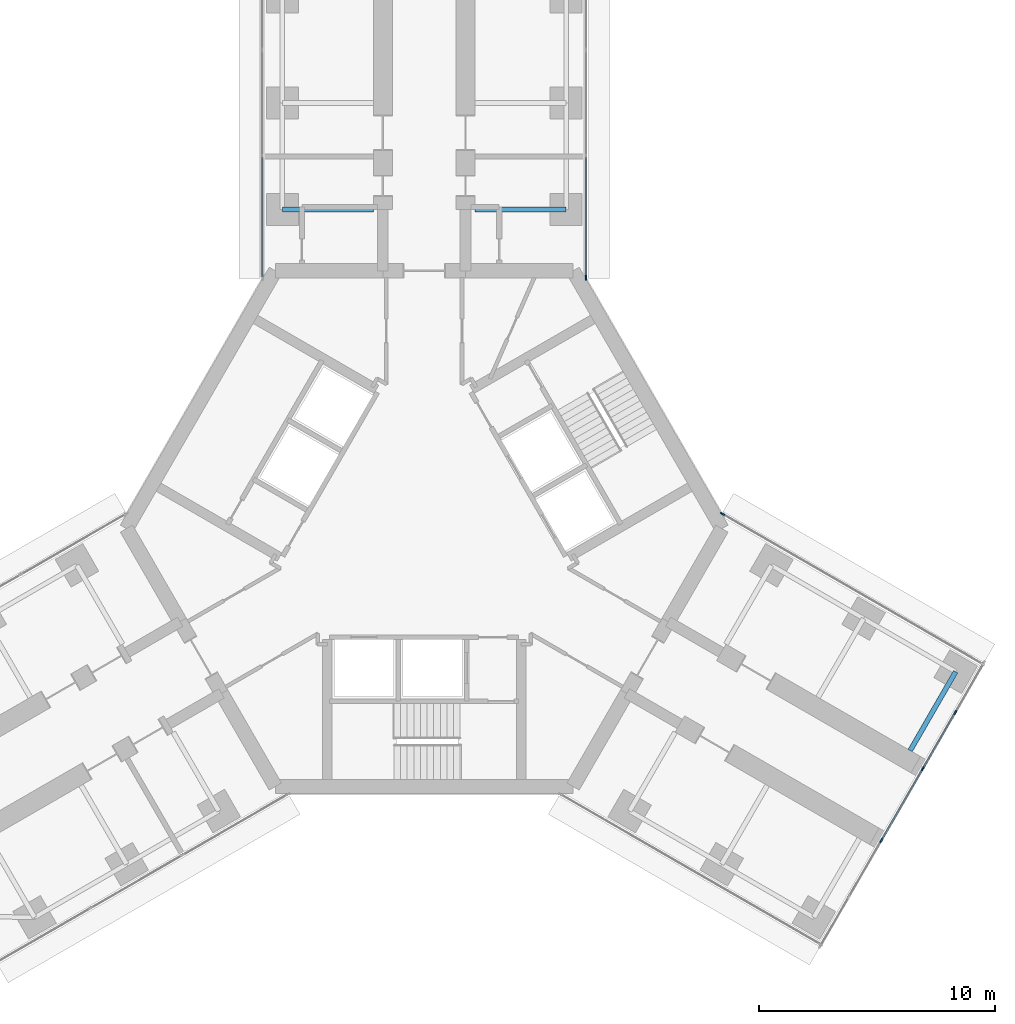
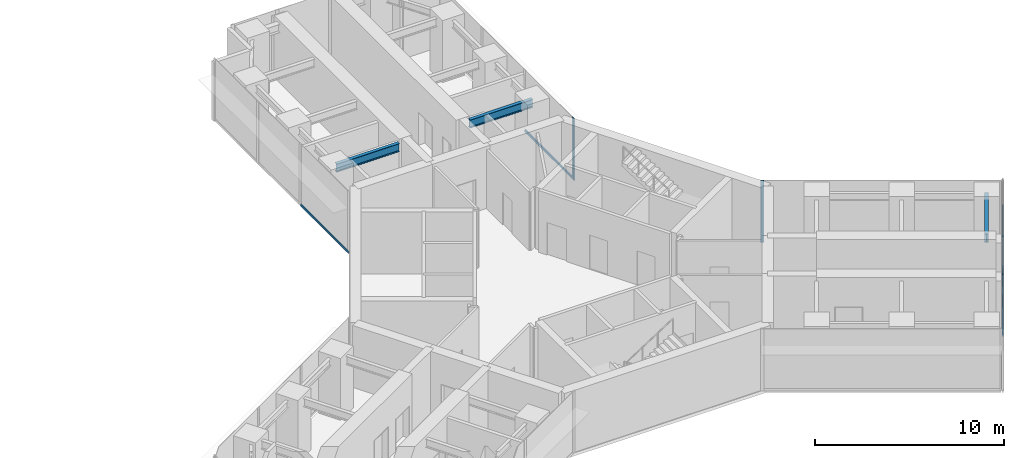
# One storey, part 10 of 21: 9 members, 3 beams, 4 elements without a shape of their own.
"""IFC4 building model written with IfcOpenShell, lengths in metres."""

from ifc_helpers import new_model, si_unit, direction, frame, origin, origin_2d, place, context, subcontext, project, spatial, rectangle, i_section, extrude, material, material_profile, profile_set, type_object, element, aggregate, save


model = new_model("IFC4")

# Units and contexts
model_context = context("Model", 3, precision=1e-05, world=origin(), true_north=direction((0.0, 1.0)))
body_context = subcontext(model_context, "Body", "Model", "MODEL_VIEW")
ifc_project = project(units=[si_unit("LENGTHUNIT", "METRE"), si_unit("AREAUNIT", "SQUARE_METRE"), si_unit("VOLUMEUNIT", "CUBIC_METRE"), si_unit("PLANEANGLEUNIT", "RADIAN"), si_unit("MASSUNIT", "GRAM", prefix="KILO")], contexts=[model_context])

# Site, building, storey
site_placement = place(None, origin())
site = spatial("IfcSite", under=ifc_project, at=site_placement, CompositionType="ELEMENT")
building_placement = place(site_placement, origin())
building = spatial("IfcBuilding", under=site, at=building_placement, Name="Upepo Twin Towers", CompositionType="ELEMENT")
storey_placement = place(building_placement, frame((0.0, 0.0, 105.5)))
storey = spatial("IfcBuildingStorey", under=building, at=storey_placement, Name="L25", CompositionType="ELEMENT", Elevation=105.5)

# Beams
ifc_material_1 = material(Name="Steel S355", Category="steel")
ifc_material_profile_1 = material_profile(ifc_material_1, i_section(OverallWidth=0.209228515625, OverallDepth=0.533203125, WebThickness=0.010009765625, FlangeThickness=0.015625, FilletRadius=0.0126953125, at=origin_2d()), Name="UB 533x210x92")
ifc_profile_set_1 = profile_set([ifc_material_profile_1], Name="Steel S355")
beam_type = type_object("IfcBeamType", Name="Beam UB 533x210x92", PredefinedType="BEAM", material=ifc_profile_set_1)
for number, where, z_axis, x_axis, name in (
    (1, (52.5, -4.5, 3.533447265625), (1.0, 0.0, 0.0), (0.0, 1.0, 0.0), "T2 girder AL at 13.5"),
    (2, (64.5, -4.5, 3.533447265625), (-1.0, 0.0, 0.0), (0.0, -1.0, 0.0), "T2 girder AR at 13.5"),
):
    element("IfcBeam", number, at=place(storey_placement, frame(where, z_axis=z_axis, x_axis=x_axis)), inside=storey, type_object=beam_type, Name=name, PredefinedType="BEAM", context=body_context, shape_type="SweptSolid", body=[
        extrude(i_section(OverallWidth=0.209228515625, OverallDepth=0.533203125, WebThickness=0.010009765625, FlangeThickness=0.015625, FilletRadius=0.0126953125, at=origin_2d()), origin(), (0.0, 0.0, 1.0), 3.85009765625),
    ])
beam_placement = place(storey_placement, frame((80.985595703125, -24.053955078125, 3.533447265625), z_axis=(-0.500033517596, -0.866006051527, 0.0), x_axis=(0.866006051527, -0.500033517596, 0.0)))
element("IfcBeam", 3, at=beam_placement, inside=storey, type_object=beam_type, Name="T2 girder CL at 22.5", PredefinedType="BEAM", context=body_context, shape_type="SweptSolid", body=[
    extrude(i_section(OverallWidth=0.209228515625, OverallDepth=0.533203125, WebThickness=0.010009765625, FlangeThickness=0.015625, FilletRadius=0.0126953125, at=origin_2d()), origin(), (0.0, 0.0, 1.0), 3.849853515625),
])

# Curtain wall, member
ifc_material_2 = material(Name="Aluminium and fritted glass", Category="aluminium")
curtain_wall_type = type_object("IfcCurtainWallType", Name="Tower curtain wall TW2, fritted glass", PredefinedType="NOTDEFINED", material=ifc_material_2)
curtain_wall_1_placement = place(storey_placement, origin())
curtain_wall_1 = element("IfcCurtainWall", 4, at=curtain_wall_1_placement, inside=storey, type_object=curtain_wall_type, Name="T2 L25 wing A flank R curtain wall", PredefinedType="NOTDEFINED")
ifc_material_3 = material(Name="Aluminium mullion", Category="aluminium")
ifc_material_profile_2 = material_profile(ifc_material_3, rectangle(XDim=0.06494140625, YDim=0.199951171875, at=origin_2d()), Name="MULLION 65x200")
ifc_profile_set_2 = profile_set([ifc_material_profile_2], Name="Aluminium mullion")
member_type_1 = type_object("IfcMemberType", Name="Mullion 65x200 TW2", PredefinedType="MULLION", material=ifc_profile_set_2)
member_1_placement = place(storey_placement, frame((65.35009765625, -7.38037109375, 0.0), z_axis=(0.0, 0.0, 1.0), x_axis=(1.0, 0.0, 0.0)))
member_1 = element("IfcMember", 5, at=member_1_placement, type_object=member_type_1, Name="T2 L25 wing A flank R curtain wall mullion 4", PredefinedType="MULLION", context=body_context, shape_type="SweptSolid", body=[
    extrude(rectangle(XDim=0.06494140625, YDim=0.199951171875, at=origin_2d()), origin(), (0.0, 0.0, 1.0), 4.0),
])

curtain_wall_2_placement = place(storey_placement, origin())
curtain_wall_2 = element("IfcCurtainWall", 6, at=curtain_wall_2_placement, inside=storey, type_object=curtain_wall_type, Name="T2 L25 wing C flank L curtain wall", PredefinedType="NOTDEFINED")
member_2_placement = place(storey_placement, frame((71.121826171875, -17.37744140625, 0.0), z_axis=(0.0, 0.0, 1.0), x_axis=(0.50000000792, 0.866025399212, 0.0)))
member_2 = element("IfcMember", 7, at=member_2_placement, type_object=member_type_1, Name="T2 L25 wing C flank L curtain wall mullion 1", PredefinedType="MULLION", context=body_context, shape_type="SweptSolid", body=[
    extrude(rectangle(XDim=0.06494140625, YDim=0.199951171875, at=origin_2d()), origin(), (0.0, 0.0, 1.0), 4.0),
])
aggregate(curtain_wall_2, [member_2])

# Curtain wall, members
curtain_wall_3_placement = place(storey_placement, origin())
curtain_wall_3 = element("IfcCurtainWall", 8, at=curtain_wall_3_placement, inside=storey, type_object=curtain_wall_type, Name="T2 L25 wing C nose curtain wall", PredefinedType="NOTDEFINED")
member_3_placement = place(storey_placement, frame((77.8466796875, -31.1904296875, 0.0), z_axis=(0.0, 0.0, 1.0), x_axis=(-0.866025419745, 0.499999972355, 0.0)))
member_3 = element("IfcMember", 9, at=member_3_placement, type_object=member_type_1, Name="T2 L25 wing C nose curtain wall mullion 3", PredefinedType="MULLION", context=body_context, shape_type="SweptSolid", body=[
    extrude(rectangle(XDim=0.06494140625, YDim=0.199951171875, at=origin_2d()), origin(), (0.0, 0.0, 1.0), 4.0),
])
member_4_placement = place(storey_placement, frame((79.5966796875, -28.159423828125, 0.0), z_axis=(0.0, 0.0, 1.0), x_axis=(-0.866025419745, 0.499999972355, 0.0)))
member_4 = element("IfcMember", 10, at=member_4_placement, type_object=member_type_1, Name="T2 L25 wing C nose curtain wall mullion 4", PredefinedType="MULLION", context=body_context, shape_type="SweptSolid", body=[
    extrude(rectangle(XDim=0.06494140625, YDim=0.199951171875, at=origin_2d()), origin(), (0.0, 0.0, 1.0), 4.0),
])
member_5_placement = place(storey_placement, frame((80.9716796875, -25.77783203125, 0.0), z_axis=(0.0, 0.0, 1.0), x_axis=(-0.866025419745, 0.499999972355, 0.0)))
member_5 = element("IfcMember", 11, at=member_5_placement, type_object=member_type_1, Name="T2 L25 wing C nose curtain wall mullion 5", PredefinedType="MULLION", context=body_context, shape_type="SweptSolid", body=[
    extrude(rectangle(XDim=0.06494140625, YDim=0.199951171875, at=origin_2d()), origin(), (0.0, 0.0, 1.0), 4.0),
])

# Curtain wall, member
curtain_wall_4_placement = place(storey_placement, origin())
curtain_wall_4 = element("IfcCurtainWall", 12, at=curtain_wall_4_placement, inside=storey, type_object=curtain_wall_type, Name="T2 L25 wing A flank L curtain wall", PredefinedType="NOTDEFINED")
ifc_material_4 = material(Name="Aluminium transom", Category="aluminium")
ifc_material_profile_3 = material_profile(ifc_material_4, rectangle(XDim=0.06494140625, YDim=0.14990234375, at=origin_2d()), Name="TRANSOM 65x150")
ifc_profile_set_3 = profile_set([ifc_material_profile_3], Name="Aluminium transom")
member_type_2 = type_object("IfcMemberType", Name="Transom 65x150 TW2", PredefinedType="USERDEFINED", material=ifc_profile_set_3)
member_6_placement = place(storey_placement, frame((51.64990234375, -7.347900390625, 0.074951171875), z_axis=(0.0, 1.0, 0.0), x_axis=(-1.0, 0.0, 0.0)))
member_6 = element("IfcMember", 13, at=member_6_placement, type_object=member_type_2, Name="T2 L25 wing A flank L curtain wall transom 1", ObjectType="TRANSOM", PredefinedType="USERDEFINED", context=body_context, shape_type="SweptSolid", body=[
    extrude(rectangle(XDim=0.06494140625, YDim=0.14990234375, at=origin_2d()), origin(), (0.0, 0.0, 1.0), 5.0654296875),
])
aggregate(curtain_wall_4, [member_6])

# Member
member_7_placement = place(storey_placement, frame((65.35009765625, -2.282470703125, 0.074951171875), z_axis=(0.0, -1.0, 0.0), x_axis=(1.0, 0.0, 0.0)))
member_7 = element("IfcMember", 14, at=member_7_placement, type_object=member_type_2, Name="T2 L25 wing A flank R curtain wall transom 3", ObjectType="TRANSOM", PredefinedType="USERDEFINED", context=body_context, shape_type="SweptSolid", body=[
    extrude(rectangle(XDim=0.06494140625, YDim=0.14990234375, at=origin_2d()), origin(), (0.0, 0.0, 1.0), 5.0654296875),
])

aggregate(curtain_wall_1, [member_1, member_7])

member_8_placement = place(storey_placement, frame((77.863037109375, -31.162353515625, 0.074951171875), z_axis=(0.499945997713, 0.866056579774, 0.0), x_axis=(-0.866056579774, 0.499945997713, 0.0)))
member_8 = element("IfcMember", 15, at=member_8_placement, type_object=member_type_2, Name="T2 L25 wing C nose curtain wall transom 3", ObjectType="TRANSOM", PredefinedType="USERDEFINED", context=body_context, shape_type="SweptSolid", body=[
    extrude(rectangle(XDim=0.06494140625, YDim=0.14990234375, at=origin_2d()), origin(), (0.0, 0.0, 1.0), 3.43505859375),
])

member_9_placement = place(storey_placement, frame((79.613037109375, -28.13134765625, 0.074951171875), z_axis=(0.49995335277, 0.8660523339, 0.0), x_axis=(-0.8660523339, 0.49995335277, 0.0)))
member_9 = element("IfcMember", 16, at=member_9_placement, type_object=member_type_2, Name="T2 L25 wing C nose curtain wall transom 4", ObjectType="TRANSOM", PredefinedType="USERDEFINED", context=body_context, shape_type="SweptSolid", body=[
    extrude(rectangle(XDim=0.06494140625, YDim=0.14990234375, at=origin_2d()), origin(), (0.0, 0.0, 1.0), 2.684814453125),
])

aggregate(curtain_wall_3, [member_3, member_4, member_5, member_8, member_9])

save(model, "model.ifc")
